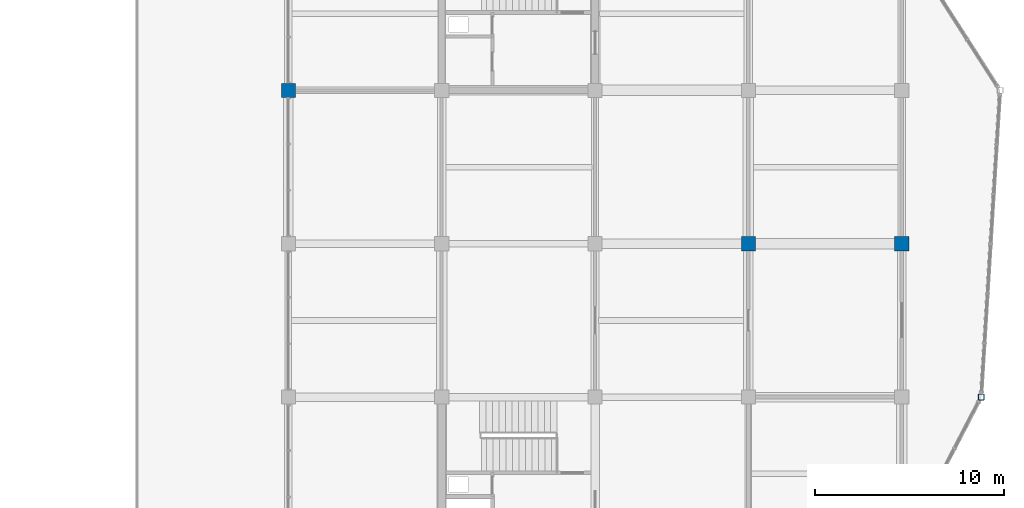
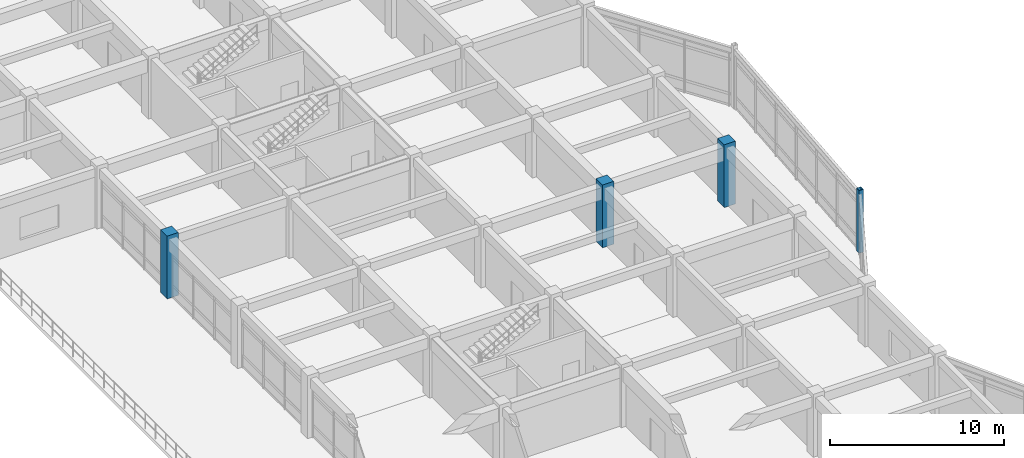
# One storey, part 7 of 70: 4 columns.
"""IFC4 building model written with IfcOpenShell, lengths in metres."""

from ifc_helpers import new_model, si_unit, direction, frame, origin, origin_2d, place, context, subcontext, project, spatial, rectangle, hollow_rectangle, extrude, material, material_profile, profile_set, type_object, element, save


model = new_model("IFC4")

# Units and contexts
model_context = context("Model", 3, precision=1e-05, world=origin(), true_north=direction((0.0, 1.0)))
body_context = subcontext(model_context, "Body", "Model", "MODEL_VIEW")
ifc_project = project(units=[si_unit("LENGTHUNIT", "METRE"), si_unit("AREAUNIT", "SQUARE_METRE"), si_unit("VOLUMEUNIT", "CUBIC_METRE"), si_unit("PLANEANGLEUNIT", "RADIAN"), si_unit("MASSUNIT", "GRAM", prefix="KILO")], contexts=[model_context])

# Site, building, storey
site_placement = place(None, origin())
site = spatial("IfcSite", under=ifc_project, at=site_placement, CompositionType="ELEMENT")
building_placement = place(site_placement, origin())
building = spatial("IfcBuilding", under=site, at=building_placement, Name="Vaudrelin Polytechnic", CompositionType="ELEMENT")
storey_placement = place(building_placement, frame((0.0, 0.0, 14.110107421875)))
storey = spatial("IfcBuildingStorey", under=building, at=storey_placement, Name="L03", CompositionType="ELEMENT", Elevation=14.110107421875)

# Columns
ifc_material_1 = material(Name="Steel CSA G40.21 350WT", Category="steel")
ifc_material_profile_1 = material_profile(ifc_material_1, hollow_rectangle(XDim=0.304931640625, YDim=0.304931640625, WallThickness=0.0126953125, InnerFilletRadius=0.0126953125, OuterFilletRadius=0.025390625, at=origin_2d()), Name="HSS305x305x12.7")
ifc_profile_set_1 = profile_set([ifc_material_profile_1], Name="Steel CSA G40.21 350WT")
column_type_1 = type_object("IfcColumnType", Name="COL-C-HSS305", PredefinedType="COLUMN", material=ifc_profile_set_1)
column_placement = place(storey_placement, frame((174.300048828125, 72.89990234375, 0.0), z_axis=(0.0, 0.0, 1.0), x_axis=(1.0, 0.0, 0.0)))
element("IfcColumn", 1, at=column_placement, inside=storey, type_object=column_type_1, Name="Deconstructivist column L03 E_OR2_1", PredefinedType="COLUMN", context=body_context, shape_type="SweptSolid", body=[
    extrude(hollow_rectangle(XDim=0.304931640625, YDim=0.304931640625, WallThickness=0.0126953125, InnerFilletRadius=0.0126953125, OuterFilletRadius=0.025390625, at=origin_2d()), origin(), (0.0, 0.0, 1.0), 4.419921875),
])
ifc_material_2 = material(Name="Concrete 50 MPa", Category="concrete")
ifc_material_profile_2 = material_profile(ifc_material_2, rectangle(XDim=0.75, YDim=0.75, at=origin_2d()), Name="RC750x750")
ifc_profile_set_2 = profile_set([ifc_material_profile_2], Name="Concrete 50 MPa")
column_type_2 = type_object("IfcColumnType", Name="COL-C-RC750", PredefinedType="COLUMN", material=ifc_profile_set_2)
for number, where, z_axis, x_axis, name in (
    (2, (137.699951171875, 89.10009765625, 0.0), (0.0, 0.0, 1.0), (1.0, 0.0, 0.0), "Column L03 18-12"),
    (3, (162.0, 81.0, 0.0), (0.0, 0.0, 1.0), (1.0, 0.0, 0.0), "Column L03 21-11"),
    (4, (170.10009765625, 81.0, 0.0), (0.0, 0.0, 1.0), (1.0, 0.0, 0.0), "Column L03 22-11"),
):
    element("IfcColumn", number, at=place(storey_placement, frame(where, z_axis=z_axis, x_axis=x_axis)), inside=storey, type_object=column_type_2, Name=name, PredefinedType="COLUMN", context=body_context, shape_type="SweptSolid", body=[
        extrude(rectangle(XDim=0.75, YDim=0.75, at=origin_2d()), origin(), (0.0, 0.0, 1.0), 4.419921875),
    ])

save(model, "model.ifc")
